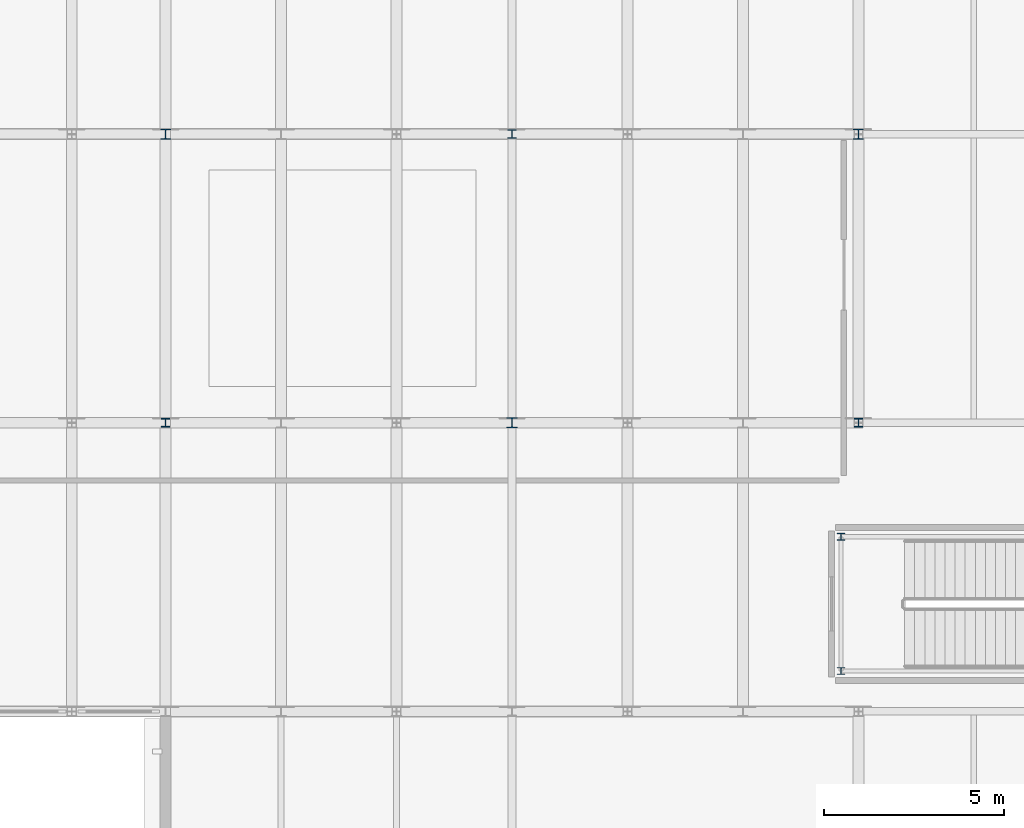
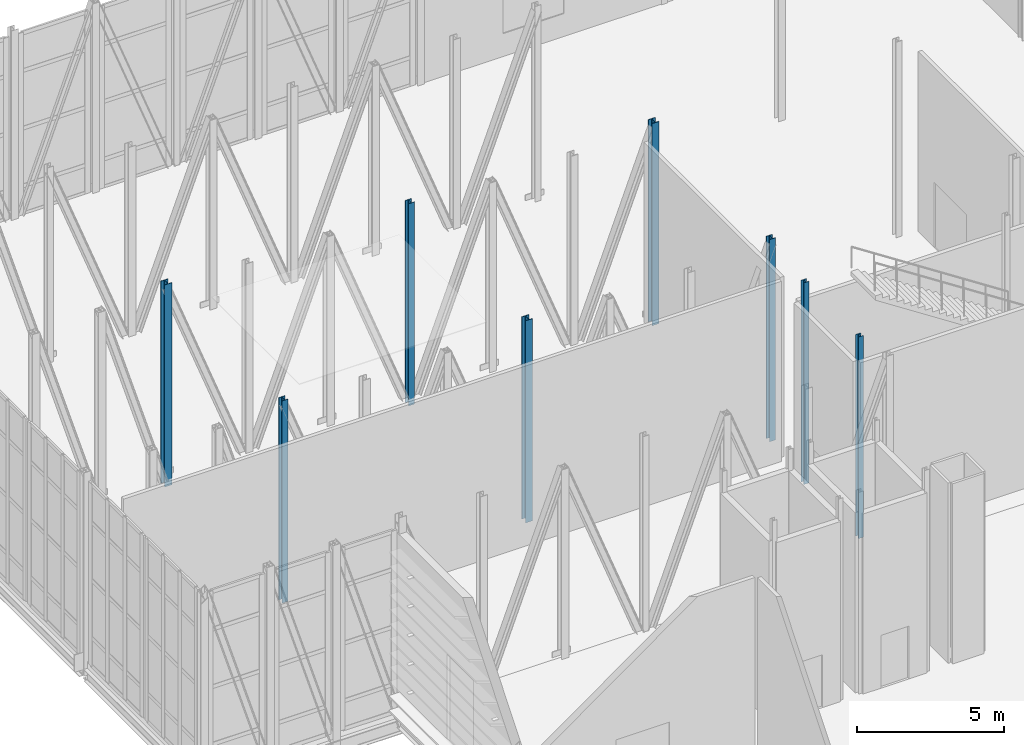
# One storey, part 5 of 73: 8 columns.
"""IFC4 building model written with IfcOpenShell, lengths in metres."""

from ifc_helpers import new_model, si_unit, direction, frame, origin, origin_2d, place, context, subcontext, project, spatial, i_section, extrude, material, material_profile, profile_set, type_object, element, save


model = new_model("IFC4")

# Units and contexts
model_context = context("Model", 3, precision=1e-05, world=origin(), true_north=direction((0.0, 1.0)))
body_context = subcontext(model_context, "Body", "Model", "MODEL_VIEW")
ifc_project = project(units=[si_unit("LENGTHUNIT", "METRE"), si_unit("AREAUNIT", "SQUARE_METRE"), si_unit("VOLUMEUNIT", "CUBIC_METRE"), si_unit("PLANEANGLEUNIT", "RADIAN"), si_unit("MASSUNIT", "GRAM", prefix="KILO")], contexts=[model_context])

# Site, building, storey
site_placement = place(None, origin())
site = spatial("IfcSite", under=ifc_project, at=site_placement, CompositionType="ELEMENT")
building_placement = place(site_placement, origin())
building = spatial("IfcBuilding", under=site, at=building_placement, Name="Alderhovde Museum", CompositionType="ELEMENT")
storey_placement = place(building_placement, frame((0.0, 0.0, 17.39990234375)))
storey = spatial("IfcBuildingStorey", under=building, at=storey_placement, Name="L04", CompositionType="ELEMENT", Elevation=17.39990234375)

# Columns
ifc_material_1 = material(Name="Steel S355J2", Category="steel")
ifc_material_profile_1 = material_profile(ifc_material_1, i_section(OverallWidth=0.199951171875, OverallDepth=0.18994140625, WebThickness=0.006591796875, FlangeThickness=0.010009765625, FilletRadius=0.01806640625, at=origin_2d()), Name="HEA 200")
ifc_profile_set_1 = profile_set([ifc_material_profile_1], Name="Steel S355J2")
column_type_1 = type_object("IfcColumnType", Name="COL-HEA200", PredefinedType="COLUMN", material=ifc_profile_set_1)
for number, where, z_axis, x_axis, name in (
    (1, (28.320068359375, 81.1201171875, 0.0), (0.0, 0.0, 1.0), (1.0, 0.0, 0.0), "L04 Stair ST2 Shaft Column 1"),
    (2, (28.320068359375, 84.840087890625, 0.0), (0.0, 0.0, 1.0), (1.0, 0.0, 0.0), "L04 Stair ST2 Shaft Column 4"),
):
    element("IfcColumn", number, at=place(storey_placement, frame(where, z_axis=z_axis, x_axis=x_axis)), inside=storey, type_object=column_type_1, Name=name, PredefinedType="COLUMN", context=body_context, shape_type="SweptSolid", body=[
        extrude(i_section(OverallWidth=0.199951171875, OverallDepth=0.18994140625, WebThickness=0.006591796875, FlangeThickness=0.010009765625, FilletRadius=0.01806640625, at=origin_2d()), origin(), (0.0, 0.0, 1.0), 8.400146484375),
    ])
ifc_material_2 = material(Name="Steel S355J2", Category="steel")
ifc_material_profile_2 = material_profile(ifc_material_2, i_section(OverallWidth=0.239990234375, OverallDepth=0.239990234375, WebThickness=0.010009765625, FlangeThickness=0.01708984375, FilletRadius=0.02099609375, at=origin_2d()), Name="HEB 240")
ifc_profile_set_2 = profile_set([ifc_material_profile_2], Name="Steel S355J2")
column_type_2 = type_object("IfcColumnType", Name="COL-HEB240", PredefinedType="COLUMN", material=ifc_profile_set_2)
for number, where, z_axis, x_axis, name in (
    (3, (9.60009765625, 88.0, -0.27978515625), (0.0, 0.0, 1.0), (1.0, 0.0, 0.0), "L04 Column (9.6, 88.0)"),
    (4, (19.199951171875, 96.0, -0.27978515625), (0.0, 0.0, 1.0), (1.0, 0.0, 0.0), "L04 Column (19.2, 96.0)"),
    (5, (28.800048828125, 88.0, -0.27978515625), (0.0, 0.0, 1.0), (1.0, 0.0, 0.0), "L04 Column (28.8, 88.0)"),
):
    element("IfcColumn", number, at=place(storey_placement, frame(where, z_axis=z_axis, x_axis=x_axis)), inside=storey, type_object=column_type_2, Name=name, PredefinedType="COLUMN", context=body_context, shape_type="SweptSolid", body=[
        extrude(i_section(OverallWidth=0.239990234375, OverallDepth=0.239990234375, WebThickness=0.010009765625, FlangeThickness=0.01708984375, FilletRadius=0.02099609375, at=origin_2d()), origin(), (0.0, 0.0, 1.0), 8.419921875),
    ])
ifc_material_3 = material(Name="Steel S355J2", Category="steel")
ifc_material_profile_3 = material_profile(ifc_material_3, i_section(OverallWidth=0.280029296875, OverallDepth=0.280029296875, WebThickness=0.010498046875, FlangeThickness=0.01806640625, FilletRadius=0.02392578125, at=origin_2d()), Name="HEB 280")
ifc_profile_set_3 = profile_set([ifc_material_profile_3], Name="Steel S355J2")
column_type_3 = type_object("IfcColumnType", Name="COL-HEB280", PredefinedType="COLUMN", material=ifc_profile_set_3)
for number, where, z_axis, x_axis, name in (
    (6, (9.60009765625, 96.0, -0.27978515625), (0.0, 0.0, 1.0), (1.0, 0.0, 0.0), "L04 Column (9.6, 96.0)"),
    (7, (19.199951171875, 88.0, -0.27978515625), (0.0, 0.0, 1.0), (1.0, 0.0, 0.0), "L04 Column (19.2, 88.0)"),
    (8, (28.800048828125, 96.0, -0.27978515625), (0.0, 0.0, 1.0), (1.0, 0.0, 0.0), "L04 Column (28.8, 96.0)"),
):
    element("IfcColumn", number, at=place(storey_placement, frame(where, z_axis=z_axis, x_axis=x_axis)), inside=storey, type_object=column_type_3, Name=name, PredefinedType="COLUMN", context=body_context, shape_type="SweptSolid", body=[
        extrude(i_section(OverallWidth=0.280029296875, OverallDepth=0.280029296875, WebThickness=0.010498046875, FlangeThickness=0.01806640625, FilletRadius=0.02392578125, at=origin_2d()), origin(), (0.0, 0.0, 1.0), 8.419921875),
    ])

save(model, "model.ifc")
